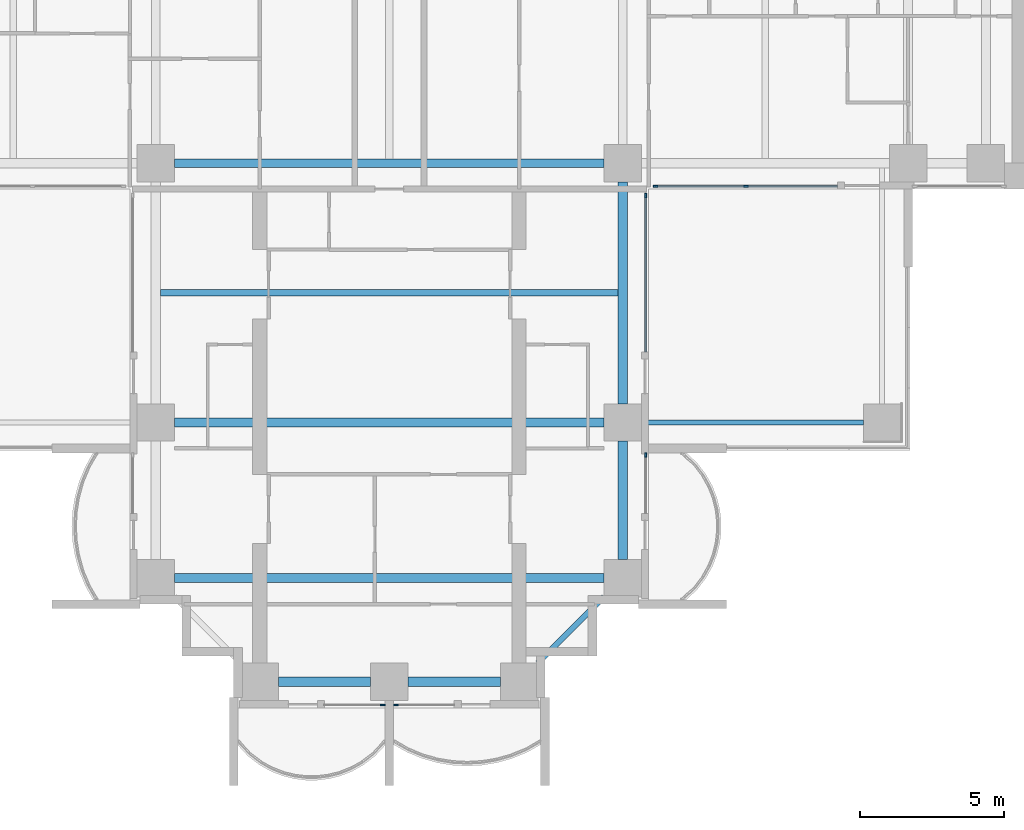
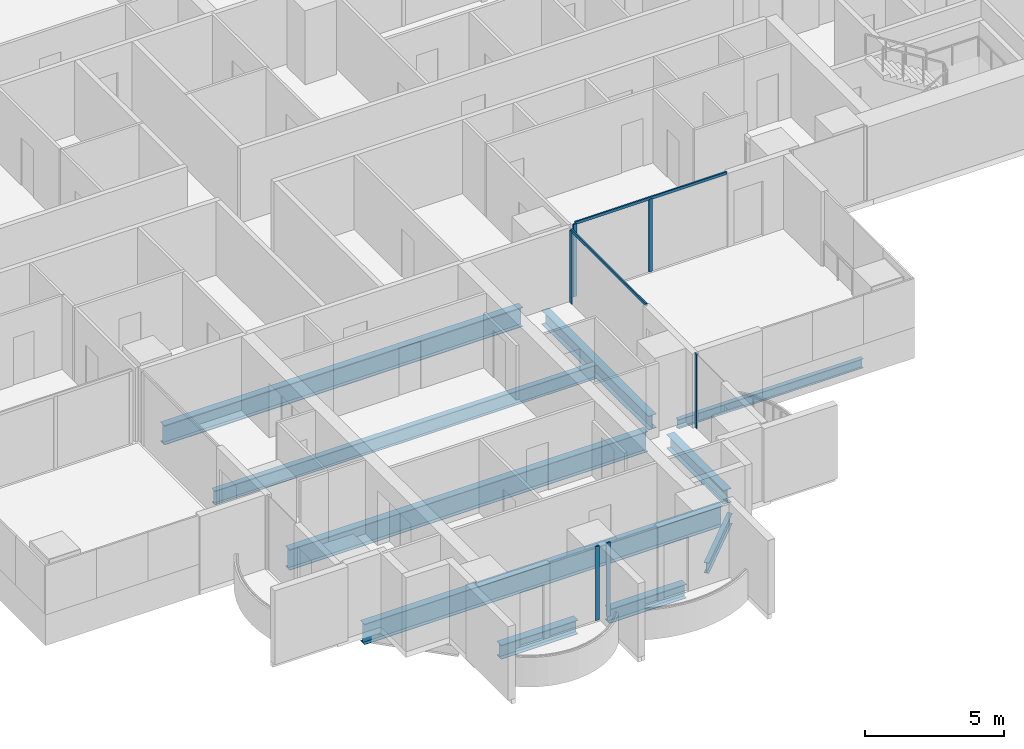
# One storey, part 3 of 21: 10 beams, 8 members, 5 elements without a shape of their own.
"""IFC4 building model written with IfcOpenShell, lengths in metres."""

from ifc_helpers import new_model, si_unit, direction, frame, origin, origin_2d, place, context, subcontext, project, spatial, rectangle, i_section, extrude, material, material_profile, profile_set, type_object, element, aggregate, save


model = new_model("IFC4")

# Units and contexts
model_context = context("Model", 3, precision=1e-05, world=origin(), true_north=direction((0.0, 1.0)))
body_context = subcontext(model_context, "Body", "Model", "MODEL_VIEW")
ifc_project = project(units=[si_unit("LENGTHUNIT", "METRE"), si_unit("AREAUNIT", "SQUARE_METRE"), si_unit("VOLUMEUNIT", "CUBIC_METRE"), si_unit("PLANEANGLEUNIT", "RADIAN"), si_unit("MASSUNIT", "GRAM", prefix="KILO")], contexts=[model_context])

# Site, building, storey
site_placement = place(None, origin())
site = spatial("IfcSite", under=ifc_project, at=site_placement, CompositionType="ELEMENT")
building_placement = place(site_placement, origin())
building = spatial("IfcBuilding", under=site, at=building_placement, Name="Perihelion Cross Residences", CompositionType="ELEMENT")
storey_placement = place(building_placement, frame((0.0, 0.0, 64.5)))
storey = spatial("IfcBuildingStorey", under=building, at=storey_placement, Name="L13", CompositionType="ELEMENT", Elevation=64.5)

# Curtain wall, member
ifc_material_1 = material(Name="Bronze anodised aluminium, tinted glazing", Category="aluminium")
curtain_wall_type = type_object("IfcCurtainWallType", Name="CW1", PredefinedType="NOTDEFINED", material=ifc_material_1)
curtain_wall_1_placement = place(storey_placement, origin())
curtain_wall_1 = element("IfcCurtainWall", 1, at=curtain_wall_1_placement, inside=storey, type_object=curtain_wall_type, Name="Curtain wall CW1 L13 south tip south bay 1", PredefinedType="NOTDEFINED")
ifc_material_2 = material(Name="Bronze anodised aluminium", Category="aluminium")
ifc_material_profile_1 = material_profile(ifc_material_2, rectangle(XDim=0.06005859375, YDim=0.159912109375, at=origin_2d()), Name="CW1 mullion")
ifc_profile_set_1 = profile_set([ifc_material_profile_1], Name="Bronze anodised aluminium")
member_type_1 = type_object("IfcMemberType", Name="CW1 mullion", PredefinedType="MULLION", material=ifc_profile_set_1)
member_1_placement = place(storey_placement, frame((-0.22998046875, -26.89990234375, 0.0), z_axis=(0.0, 0.0, 1.0), x_axis=(0.0, 1.0, 0.0)))
member_1 = element("IfcMember", 2, at=member_1_placement, type_object=member_type_1, Name="CW1 mullion 2", PredefinedType="MULLION", context=body_context, shape_type="SweptSolid", body=[
    extrude(rectangle(XDim=0.06005859375, YDim=0.159912109375, at=origin_2d()), origin(), (0.0, 0.0, 1.0), 3.25),
])
aggregate(curtain_wall_1, [member_1])

curtain_wall_2_placement = place(storey_placement, origin())
curtain_wall_2 = element("IfcCurtainWall", 3, at=curtain_wall_2_placement, inside=storey, type_object=curtain_wall_type, Name="Curtain wall CW1 L13 south tip south bay 2", PredefinedType="NOTDEFINED")
member_2_placement = place(storey_placement, frame((0.22998046875, -26.89990234375, 0.0), z_axis=(0.0, 0.0, 1.0), x_axis=(0.0, 1.0, 0.0)))
member_2 = element("IfcMember", 4, at=member_2_placement, type_object=member_type_1, Name="CW1 mullion 1", PredefinedType="MULLION", context=body_context, shape_type="SweptSolid", body=[
    extrude(rectangle(XDim=0.06005859375, YDim=0.159912109375, at=origin_2d()), origin(), (0.0, 0.0, 1.0), 3.25),
])
aggregate(curtain_wall_2, [member_2])

curtain_wall_3_placement = place(storey_placement, origin())
curtain_wall_3 = element("IfcCurtainWall", 5, at=curtain_wall_3_placement, inside=storey, type_object=curtain_wall_type, Name="Curtain wall CW1 L13 south side east bay 1", PredefinedType="NOTDEFINED")
member_3_placement = place(storey_placement, frame((8.89990234375, -18.22998046875, 0.0), z_axis=(0.0, 0.0, 1.0), x_axis=(-1.0, 0.0, 0.0)))
member_3 = element("IfcMember", 6, at=member_3_placement, type_object=member_type_1, Name="CW1 mullion 2", PredefinedType="MULLION", context=body_context, shape_type="SweptSolid", body=[
    extrude(rectangle(XDim=0.06005859375, YDim=0.159912109375, at=origin_2d()), origin(), (0.0, 0.0, 1.0), 3.25),
])
aggregate(curtain_wall_3, [member_3])

curtain_wall_4_placement = place(storey_placement, origin())
curtain_wall_4 = element("IfcCurtainWall", 7, at=curtain_wall_4_placement, inside=storey, type_object=curtain_wall_type, Name="Curtain wall CW1 L13 south side east bay 2", PredefinedType="NOTDEFINED")
member_4_placement = place(storey_placement, frame((8.89990234375, -9.22998046875, 0.0), z_axis=(0.0, 0.0, 1.0), x_axis=(-1.0, 0.0, 0.0)))
member_4 = element("IfcMember", 8, at=member_4_placement, type_object=member_type_1, Name="CW1 mullion 2", PredefinedType="MULLION", context=body_context, shape_type="SweptSolid", body=[
    extrude(rectangle(XDim=0.06005859375, YDim=0.159912109375, at=origin_2d()), origin(), (0.0, 0.0, 1.0), 3.18994140625),
])

# Curtain wall, members
curtain_wall_5_placement = place(storey_placement, origin())
curtain_wall_5 = element("IfcCurtainWall", 9, at=curtain_wall_5_placement, inside=storey, type_object=curtain_wall_type, Name="Curtain wall CW1 L13 east side south bay 1", PredefinedType="NOTDEFINED")
member_5_placement = place(storey_placement, frame((9.22998046875, -8.89990234375, 0.0), z_axis=(0.0, 0.0, 1.0), x_axis=(0.0, 1.0, 0.0)))
member_5 = element("IfcMember", 10, at=member_5_placement, type_object=member_type_1, Name="CW1 mullion 1", PredefinedType="MULLION", context=body_context, shape_type="SweptSolid", body=[
    extrude(rectangle(XDim=0.06005859375, YDim=0.159912109375, at=origin_2d()), origin(), (0.0, 0.0, 1.0), 3.18994140625),
])
member_6_placement = place(storey_placement, frame((12.375, -8.89990234375, 0.0), z_axis=(0.0, 0.0, 1.0), x_axis=(0.0, 1.0, 0.0)))
member_6 = element("IfcMember", 11, at=member_6_placement, type_object=member_type_1, Name="CW1 mullion 2", PredefinedType="MULLION", context=body_context, shape_type="SweptSolid", body=[
    extrude(rectangle(XDim=0.06005859375, YDim=0.159912109375, at=origin_2d()), origin(), (0.0, 0.0, 1.0), 3.18994140625),
])

# Member
ifc_material_3 = material(Name="Bronze anodised aluminium", Category="aluminium")
ifc_material_profile_2 = material_profile(ifc_material_3, rectangle(XDim=0.06005859375, YDim=0.1201171875, at=origin_2d()), Name="CW1 transom")
ifc_profile_set_2 = profile_set([ifc_material_profile_2], Name="Bronze anodised aluminium")
member_type_2 = type_object("IfcMemberType", Name="CW1 transom", PredefinedType="USERDEFINED", material=ifc_profile_set_2)
member_7_placement = place(storey_placement, frame((8.89990234375, -14.64990234375, 3.219970703125), z_axis=(0.0, 1.0, 0.0), x_axis=(-1.0, 0.0, 0.0)))
member_7 = element("IfcMember", 12, at=member_7_placement, type_object=member_type_2, Name="CW1 head transom", ObjectType="TRANSOM", PredefinedType="USERDEFINED", context=body_context, shape_type="SweptSolid", body=[
    extrude(rectangle(XDim=0.06005859375, YDim=0.1201171875, at=origin_2d()), origin(), (0.0, 0.0, 1.0), 5.419921875),
])

aggregate(curtain_wall_4, [member_4, member_7])

member_8_placement = place(storey_placement, frame((9.22998046875, -8.89990234375, 3.219970703125), z_axis=(1.0, 0.0, 0.0), x_axis=(0.0, 1.0, 0.0)))
member_8 = element("IfcMember", 13, at=member_8_placement, type_object=member_type_2, Name="CW1 head transom", ObjectType="TRANSOM", PredefinedType="USERDEFINED", context=body_context, shape_type="SweptSolid", body=[
    extrude(rectangle(XDim=0.06005859375, YDim=0.1201171875, at=origin_2d()), origin(), (0.0, 0.0, 1.0), 6.320068359375),
])

aggregate(curtain_wall_5, [member_5, member_6, member_8])

# Beams
ifc_material_4 = material(Name="Steel S355", Category="steel")
ifc_material_profile_3 = material_profile(ifc_material_4, i_section(OverallWidth=0.177978515625, OverallDepth=0.406005859375, WebThickness=0.0078125, FlangeThickness=0.0126953125, at=origin_2d()), Name="W410x60")
ifc_profile_set_3 = profile_set([ifc_material_profile_3], Name="Steel S355")
beam_type_1 = type_object("IfcBeamType", Name="Core edge beam W410x60", PredefinedType="BEAM", material=ifc_profile_set_3)
beam_1_placement = place(storey_placement, frame((8.75, -17.10009765625, -0.452880859375), z_axis=(1.0, 0.0, 0.0), x_axis=(0.0, 1.0, 0.0)))
element("IfcBeam", 14, at=beam_1_placement, inside=storey, type_object=beam_type_1, Name="Core edge beam TB2 L13 corner no. 6", PredefinedType="BEAM", context=body_context, shape_type="SweptSolid", body=[
    extrude(i_section(OverallWidth=0.177978515625, OverallDepth=0.406005859375, WebThickness=0.0078125, FlangeThickness=0.0126953125, at=origin_2d()), origin(), (0.0, 0.0, 1.0), 7.699951171875),
])
ifc_material_5 = material(Name="Steel S355", Category="steel")
ifc_material_profile_4 = material_profile(ifc_material_5, i_section(OverallWidth=0.324951171875, OverallDepth=0.616943359375, WebThickness=0.013916015625, FlangeThickness=0.021484375, at=origin_2d()), Name="W610x174")
ifc_profile_set_4 = profile_set([ifc_material_profile_4], Name="Steel S355")
beam_type_2 = type_object("IfcBeamType", Name="Edge beam W610x174", PredefinedType="SPANDREL", material=ifc_profile_set_4)
for number, where, z_axis, x_axis, name in (
    (15, (-3.85009765625, -26.10009765625, -0.55859375), (1.0, 0.0, 0.0), (0.0, 1.0, 0.0), "Edge beam SB2 L13 no. 4"),
    (16, (0.64990234375, -26.10009765625, -0.55859375), (1.0, 0.0, 0.0), (0.0, 1.0, 0.0), "Edge beam SB2 L13 no. 10"),
):
    element("IfcBeam", number, at=place(storey_placement, frame(where, z_axis=z_axis, x_axis=x_axis)), inside=storey, type_object=beam_type_2, Name=name, PredefinedType="SPANDREL", context=body_context, shape_type="SweptSolid", body=[
        extrude(i_section(OverallWidth=0.324951171875, OverallDepth=0.616943359375, WebThickness=0.013916015625, FlangeThickness=0.021484375, at=origin_2d()), origin(), (0.0, 0.0, 1.0), 3.2001953125),
    ])
beam_2_placement = place(storey_placement, frame((8.10009765625, -21.85009765625, -0.55859375), z_axis=(0.0, 1.0, 0.0), x_axis=(-1.0, 0.0, 0.0)))
element("IfcBeam", 17, at=beam_2_placement, inside=storey, type_object=beam_type_2, Name="Edge beam SB2 L13 no. 17", PredefinedType="SPANDREL", context=body_context, shape_type="SweptSolid", body=[
    extrude(i_section(OverallWidth=0.324951171875, OverallDepth=0.616943359375, WebThickness=0.013916015625, FlangeThickness=0.021484375, at=origin_2d()), origin(), (0.0, 0.0, 1.0), 4.10009765625),
])
beam_3_placement = place(storey_placement, frame((8.10009765625, -16.449951171875, -0.55859375), z_axis=(0.0, 1.0, 0.0), x_axis=(-1.0, 0.0, 0.0)))
element("IfcBeam", 18, at=beam_3_placement, inside=storey, type_object=beam_type_2, Name="Edge beam SB2 L13 no. 16", PredefinedType="SPANDREL", context=body_context, shape_type="SweptSolid", body=[
    extrude(i_section(OverallWidth=0.324951171875, OverallDepth=0.616943359375, WebThickness=0.013916015625, FlangeThickness=0.021484375, at=origin_2d()), origin(), (0.0, 0.0, 1.0), 7.699951171875),
])
ifc_material_6 = material(Name="Steel S355", Category="steel")
ifc_material_profile_5 = material_profile(ifc_material_6, i_section(OverallWidth=0.304931640625, OverallDepth=0.904052734375, WebThickness=0.01513671875, FlangeThickness=0.02001953125, at=origin_2d()), Name="W920x201")
ifc_profile_set_5 = profile_set([ifc_material_profile_5], Name="Steel S355")
beam_type_3 = type_object("IfcBeamType", Name="Floor girder W920x201", PredefinedType="BEAM", material=ifc_profile_set_5)
for number, where, z_axis, x_axis, name in (
    (19, (-7.449951171875, -17.10009765625, -0.701904296875), (1.0, 0.0, 0.0), (0.0, 1.0, 0.0), "Girder G2 L13 no. 3"),
    (20, (-7.449951171875, -22.5, -0.701904296875), (1.0, 0.0, 0.0), (0.0, 1.0, 0.0), "Girder G2 L13 no. 4"),
):
    element("IfcBeam", number, at=place(storey_placement, frame(where, z_axis=z_axis, x_axis=x_axis)), inside=storey, type_object=beam_type_3, Name=name, PredefinedType="BEAM", context=body_context, shape_type="SweptSolid", body=[
        extrude(i_section(OverallWidth=0.304931640625, OverallDepth=0.904052734375, WebThickness=0.01513671875, FlangeThickness=0.02001953125, at=origin_2d()), origin(), (0.0, 0.0, 1.0), 14.89990234375),
    ])
ifc_material_7 = material(Name="Steel S355", Category="steel")
ifc_material_profile_6 = material_profile(ifc_material_7, i_section(OverallWidth=0.22900390625, OverallDepth=0.612060546875, WebThickness=0.011962890625, FlangeThickness=0.01953125, at=origin_2d()), Name="W610x125")
ifc_profile_set_6 = profile_set([ifc_material_profile_6], Name="Steel S355")
beam_type_4 = type_object("IfcBeamType", Name="Floor joist W610x125", PredefinedType="JOIST", material=ifc_profile_set_6)
beam_4_placement = place(storey_placement, frame((-7.9375, -12.60009765625, -0.555908203125), z_axis=(1.0, 0.0, 0.0), x_axis=(0.0, 1.0, 0.0)))
element("IfcBeam", 21, at=beam_4_placement, inside=storey, type_object=beam_type_4, Name="Joist J3 L13 no. 3", PredefinedType="JOIST", context=body_context, shape_type="SweptSolid", body=[
    extrude(i_section(OverallWidth=0.22900390625, OverallDepth=0.612060546875, WebThickness=0.011962890625, FlangeThickness=0.01953125, at=origin_2d()), origin(), (0.0, 0.0, 1.0), 15.875),
])
ifc_material_8 = material(Name="Steel S355", Category="steel")
ifc_material_profile_7 = material_profile(ifc_material_8, i_section(OverallWidth=0.2919921875, OverallDepth=0.85888671875, WebThickness=0.01708984375, FlangeThickness=0.031005859375, at=origin_2d()), Name="W840x251")
ifc_profile_set_7 = profile_set([ifc_material_profile_7], Name="Steel S355")
beam_type_5 = type_object("IfcBeamType", Name="Hub ring girder W840x251", PredefinedType="BEAM", material=ifc_profile_set_7)
beam_5_placement = place(storey_placement, frame((-7.449951171875, -8.10009765625, -0.679443359375), z_axis=(1.0, 0.0, 0.0), x_axis=(0.0, 1.0, 0.0)))
element("IfcBeam", 22, at=beam_5_placement, inside=storey, type_object=beam_type_5, Name="Hub ring girder RG2 L13 no. 1", PredefinedType="BEAM", context=body_context, shape_type="SweptSolid", body=[
    extrude(i_section(OverallWidth=0.2919921875, OverallDepth=0.85888671875, WebThickness=0.01708984375, FlangeThickness=0.031005859375, at=origin_2d()), origin(), (0.0, 0.0, 1.0), 14.89990234375),
])
ifc_material_9 = material(Name="Steel S355", Category="steel")
ifc_material_profile_8 = material_profile(ifc_material_9, i_section(OverallWidth=0.194091796875, OverallDepth=0.469970703125, WebThickness=0.0126953125, FlangeThickness=0.0205078125, at=origin_2d()), Name="W460x106")
ifc_profile_set_8 = profile_set([ifc_material_profile_8], Name="Steel S355")
beam_type_6 = type_object("IfcBeamType", Name="Serration edge beam W460x106", PredefinedType="BEAM", material=ifc_profile_set_8)
beam_6_placement = place(storey_placement, frame((5.14990234375, -25.449951171875, -0.485107421875), z_axis=(0.707106781187, 0.707106781187, 0.0), x_axis=(-0.707106781187, 0.707106781187, 0.0)))
element("IfcBeam", 23, at=beam_6_placement, inside=storey, type_object=beam_type_6, Name="Serration edge beam EB2 L13 no. 3", PredefinedType="BEAM", context=body_context, shape_type="SweptSolid", body=[
    extrude(i_section(OverallWidth=0.194091796875, OverallDepth=0.469970703125, WebThickness=0.0126953125, FlangeThickness=0.0205078125, at=origin_2d()), origin(), (0.0, 0.0, 1.0), 3.252685546875),
])

save(model, "model.ifc")
